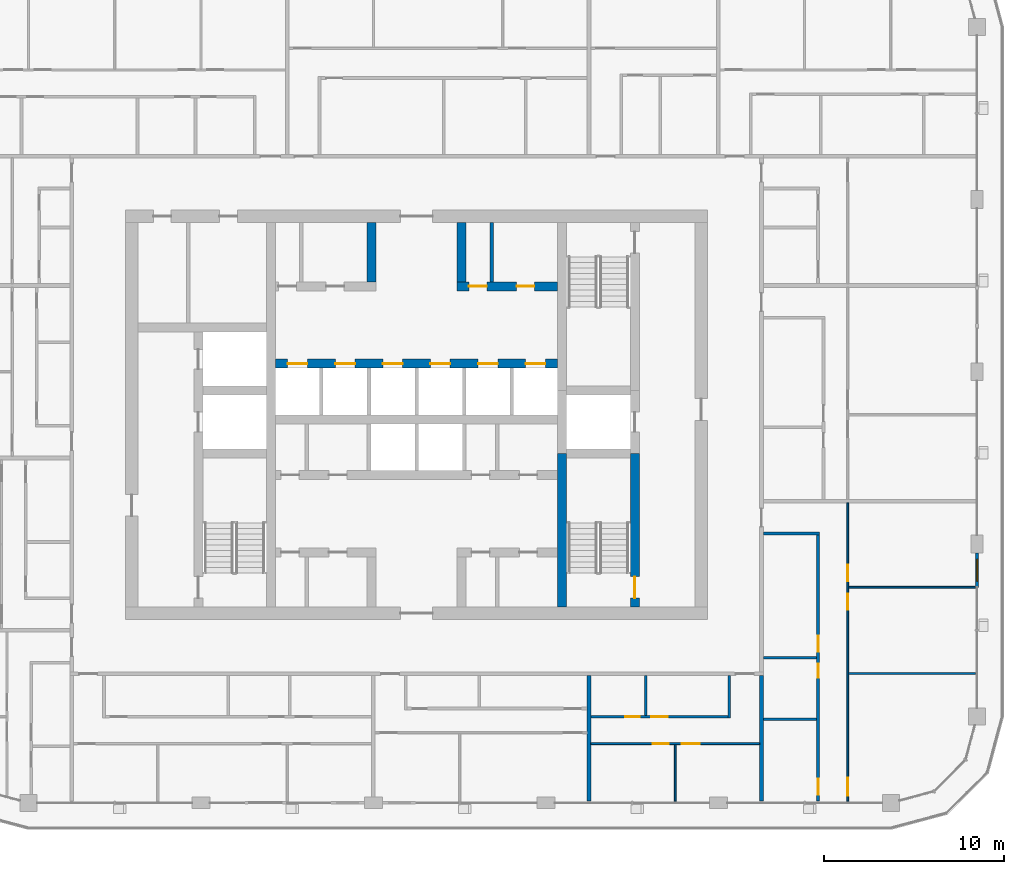
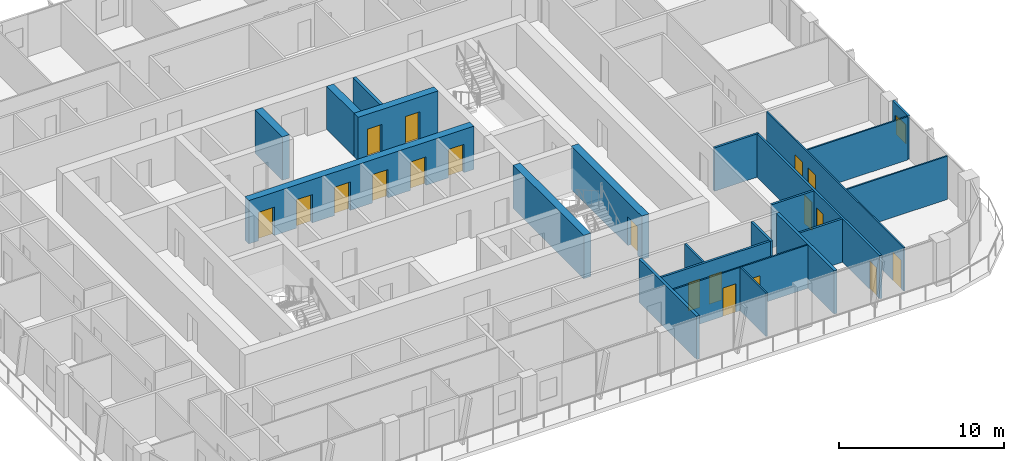
# One storey, part 12 of 23: 22 walls, 19 doors, 1 window, 20 openings.
"""IFC4 building model written with IfcOpenShell, lengths in metres."""

from ifc_helpers import new_model, si_unit, direction, frame, frame_2d, origin, place, context, subcontext, project, spatial, rectangle, extrude, material, layer, layer_set, type_object, element, fill, save


model = new_model("IFC4")

# Units and contexts
model_context = context("Model", 3, precision=1e-05, world=origin(), true_north=direction((0.0, 1.0)))
body_context = subcontext(model_context, "Body", "Model", "MODEL_VIEW")
ifc_project = project(units=[si_unit("LENGTHUNIT", "METRE"), si_unit("AREAUNIT", "SQUARE_METRE"), si_unit("VOLUMEUNIT", "CUBIC_METRE"), si_unit("PLANEANGLEUNIT", "RADIAN"), si_unit("MASSUNIT", "GRAM", prefix="KILO")], contexts=[model_context])

# Site, building, storey
site_placement = place(None, origin())
site = spatial("IfcSite", under=ifc_project, at=site_placement, CompositionType="ELEMENT")
building_placement = place(site_placement, origin())
building = spatial("IfcBuilding", under=site, at=building_placement, Name="Madar Terraces", CompositionType="ELEMENT")
storey_placement = place(building_placement, frame((0.0, 0.0, 212.300048828125)))
storey = spatial("IfcBuildingStorey", under=building, at=storey_placement, Name="L55", CompositionType="ELEMENT", Elevation=212.300048828125)

# Wall
ifc_material_1 = material(Name="Concrete C60/75", Category="concrete")
ifc_layer_1 = layer(ifc_material_1, 0.5)
ifc_layer_set_1 = layer_set([ifc_layer_1], Name="Concrete C60/75 (CIW4 RC wall 500)")
wall_type_1 = type_object("IfcWallType", Name="CIW4 RC wall 500", PredefinedType="SHEAR", material=ifc_layer_set_1)
wall_1_placement = place(storey_placement, frame((39.300048828125, 15.699951171875, 0.0), z_axis=(0.0, 0.0, 1.0), x_axis=(0.0, 1.0, 0.0)))
element("IfcWall", 1, at=wall_1_placement, inside=storey, type_object=wall_type_1, Name="CORE SHAFT WALL", PredefinedType="SHEAR", context=body_context, shape_type="SweptSolid", body=[
    extrude(rectangle(XDim=8.550048828125, YDim=0.5, at=frame_2d((4.27490234375, 0.0))), origin(), (0.0, 0.0, 1.0), 3.199951171875),
])

# Wall, opening, door
wall_2_placement = place(storey_placement, frame((43.35009765625, 15.699951171875, 0.0), z_axis=(0.0, 0.0, 1.0), x_axis=(0.0, 1.0, 0.0)))
wall_2 = element("IfcWall", 2, at=wall_2_placement, inside=storey, type_object=wall_type_1, Name="CORE SHAFT WALL", PredefinedType="SHEAR", context=body_context, shape_type="SweptSolid", body=[
    extrude(rectangle(XDim=8.550048828125, YDim=0.5, at=frame_2d((4.27490234375, 0.0))), origin(), (0.0, 0.0, 1.0), 3.199951171875),
])
opening_1_placement = place(wall_2_placement, frame((0.5, 0.0, 0.0)))
opening_1 = element("IfcOpeningElement", 3, at=opening_1_placement, cuts=wall_2, Name="Opening SD1", PredefinedType="OPENING", context=body_context, shape_type="SweptSolid", body=[
    extrude(rectangle(XDim=1.199951171875, YDim=2.10009765625, at=frame_2d((0.60009765625, 1.050048828125))), frame((0.0, 0.260009765625, 0.0), z_axis=(0.0, -1.0, 0.0), x_axis=(1.0, 0.0, 0.0)), (0.0, 0.0, 1.0), 0.52001953125),
])
ifc_material_2 = material(Name="Steel door leaf", Category="steel")
door_type_1 = type_object("IfcDoorType", Name="Stair door 1200 x 2100", OperationType="NOTDEFINED", PredefinedType="DOOR", material=ifc_material_2)
door_1_placement = place(opening_1_placement, origin())
door_1 = element("IfcDoor", 4, at=door_1_placement, inside=storey, type_object=door_type_1, Name="STAIR DOOR", OperationType="SINGLE_SWING_RIGHT", OverallHeight=2.10009765625, OverallWidth=1.199951171875, PredefinedType="DOOR", context=body_context, shape_type="SweptSolid", body=[
    extrude(rectangle(XDim=1.199951171875, YDim=2.10009765625, at=frame_2d((0.60009765625, 1.050048828125))), frame((0.0, 0.02490234375, 0.0), z_axis=(0.0, -1.0, 0.0), x_axis=(1.0, 0.0, 0.0)), (0.0, 0.0, 1.0), 0.050048828125),
])
fill(opening_1, door_1)

# Wall, openings, doors
wall_3_placement = place(storey_placement, frame((23.35009765625, 29.25, 0.0), z_axis=(0.0, 0.0, 1.0), x_axis=(1.0, 0.0, 0.0)))
wall_3 = element("IfcWall", 5, at=wall_3_placement, inside=storey, type_object=wall_type_1, Name="CORE SHAFT WALL", PredefinedType="SHEAR", context=body_context, shape_type="SweptSolid", body=[
    extrude(rectangle(XDim=15.699951171875, YDim=0.5, at=frame_2d((7.85009765625, 0.0))), origin(), (0.0, 0.0, 1.0), 3.199951171875),
])
opening_2_placement = place(wall_3_placement, frame((0.675048828125, 0.0, 0.0)))
opening_2 = element("IfcOpeningElement", 6, at=opening_2_placement, cuts=wall_3, Name="Opening LD", PredefinedType="OPENING", context=body_context, shape_type="SweptSolid", body=[
    extrude(rectangle(XDim=1.10009765625, YDim=2.10009765625, at=frame_2d((0.550048828125, 1.050048828125))), frame((0.0, 0.260009765625, 0.0), z_axis=(0.0, -1.0, 0.0), x_axis=(1.0, 0.0, 0.0)), (0.0, 0.0, 1.0), 0.52001953125),
])
opening_3_placement = place(wall_3_placement, frame((3.324951171875, 0.0, 0.0)))
opening_3 = element("IfcOpeningElement", 7, at=opening_3_placement, cuts=wall_3, Name="Opening LD", PredefinedType="OPENING", context=body_context, shape_type="SweptSolid", body=[
    extrude(rectangle(XDim=1.10009765625, YDim=2.10009765625, at=frame_2d((0.550048828125, 1.050048828125))), frame((0.0, 0.260009765625, 0.0), z_axis=(0.0, -1.0, 0.0), x_axis=(1.0, 0.0, 0.0)), (0.0, 0.0, 1.0), 0.52001953125),
])
opening_4_placement = place(wall_3_placement, frame((5.97509765625, 0.0, 0.0)))
opening_4 = element("IfcOpeningElement", 8, at=opening_4_placement, cuts=wall_3, Name="Opening LD", PredefinedType="OPENING", context=body_context, shape_type="SweptSolid", body=[
    extrude(rectangle(XDim=1.10009765625, YDim=2.10009765625, at=frame_2d((0.550048828125, 1.050048828125))), frame((0.0, 0.260009765625, 0.0), z_axis=(0.0, -1.0, 0.0), x_axis=(1.0, 0.0, 0.0)), (0.0, 0.0, 1.0), 0.52001953125),
])
opening_5_placement = place(wall_3_placement, frame((8.625, 0.0, 0.0)))
opening_5 = element("IfcOpeningElement", 9, at=opening_5_placement, cuts=wall_3, Name="Opening LD", PredefinedType="OPENING", context=body_context, shape_type="SweptSolid", body=[
    extrude(rectangle(XDim=1.10009765625, YDim=2.10009765625, at=frame_2d((0.550048828125, 1.050048828125))), frame((0.0, 0.260009765625, 0.0), z_axis=(0.0, -1.0, 0.0), x_axis=(1.0, 0.0, 0.0)), (0.0, 0.0, 1.0), 0.52001953125),
])
opening_6_placement = place(wall_3_placement, frame((11.27490234375, 0.0, 0.0)))
opening_6 = element("IfcOpeningElement", 10, at=opening_6_placement, cuts=wall_3, Name="Opening LD", PredefinedType="OPENING", context=body_context, shape_type="SweptSolid", body=[
    extrude(rectangle(XDim=1.10009765625, YDim=2.10009765625, at=frame_2d((0.550048828125, 1.050048828125))), frame((0.0, 0.260009765625, 0.0), z_axis=(0.0, -1.0, 0.0), x_axis=(1.0, 0.0, 0.0)), (0.0, 0.0, 1.0), 0.52001953125),
])
opening_7_placement = place(wall_3_placement, frame((13.925048828125, 0.0, 0.0)))
opening_7 = element("IfcOpeningElement", 11, at=opening_7_placement, cuts=wall_3, Name="Opening LD", PredefinedType="OPENING", context=body_context, shape_type="SweptSolid", body=[
    extrude(rectangle(XDim=1.10009765625, YDim=2.10009765625, at=frame_2d((0.550048828125, 1.050048828125))), frame((0.0, 0.260009765625, 0.0), z_axis=(0.0, -1.0, 0.0), x_axis=(1.0, 0.0, 0.0)), (0.0, 0.0, 1.0), 0.52001953125),
])
ifc_material_3 = material(Name="Stainless steel panel", Category="steel")
door_type_2 = type_object("IfcDoorType", Name="Lift landing door 1100 x 2100", OperationType="DOUBLE_DOOR_SLIDING", PredefinedType="DOOR", material=ifc_material_3)
door_2_placement = place(opening_2_placement, origin())
door_2 = element("IfcDoor", 12, at=door_2_placement, inside=storey, type_object=door_type_2, Name="LIFT LANDING DOOR", OperationType="DOUBLE_DOOR_SLIDING", OverallHeight=2.10009765625, OverallWidth=1.10009765625, PredefinedType="DOOR", context=body_context, shape_type="SweptSolid", body=[
    extrude(rectangle(XDim=1.10009765625, YDim=2.10009765625, at=frame_2d((0.550048828125, 1.050048828125))), frame((0.0, 0.02490234375, 0.0), z_axis=(0.0, -1.0, 0.0), x_axis=(1.0, 0.0, 0.0)), (0.0, 0.0, 1.0), 0.050048828125),
])
fill(opening_2, door_2)
door_3_placement = place(opening_3_placement, origin())
door_3 = element("IfcDoor", 13, at=door_3_placement, inside=storey, type_object=door_type_2, Name="LIFT LANDING DOOR", OperationType="DOUBLE_DOOR_SLIDING", OverallHeight=2.10009765625, OverallWidth=1.10009765625, PredefinedType="DOOR", context=body_context, shape_type="SweptSolid", body=[
    extrude(rectangle(XDim=1.10009765625, YDim=2.10009765625, at=frame_2d((0.550048828125, 1.050048828125))), frame((0.0, 0.02490234375, 0.0), z_axis=(0.0, -1.0, 0.0), x_axis=(1.0, 0.0, 0.0)), (0.0, 0.0, 1.0), 0.050048828125),
])
fill(opening_3, door_3)
door_4_placement = place(opening_4_placement, origin())
door_4 = element("IfcDoor", 14, at=door_4_placement, inside=storey, type_object=door_type_2, Name="LIFT LANDING DOOR", OperationType="DOUBLE_DOOR_SLIDING", OverallHeight=2.10009765625, OverallWidth=1.10009765625, PredefinedType="DOOR", context=body_context, shape_type="SweptSolid", body=[
    extrude(rectangle(XDim=1.10009765625, YDim=2.10009765625, at=frame_2d((0.550048828125, 1.050048828125))), frame((0.0, 0.02490234375, 0.0), z_axis=(0.0, -1.0, 0.0), x_axis=(1.0, 0.0, 0.0)), (0.0, 0.0, 1.0), 0.050048828125),
])
fill(opening_4, door_4)
door_5_placement = place(opening_5_placement, origin())
door_5 = element("IfcDoor", 15, at=door_5_placement, inside=storey, type_object=door_type_2, Name="LIFT LANDING DOOR", OperationType="DOUBLE_DOOR_SLIDING", OverallHeight=2.10009765625, OverallWidth=1.10009765625, PredefinedType="DOOR", context=body_context, shape_type="SweptSolid", body=[
    extrude(rectangle(XDim=1.10009765625, YDim=2.10009765625, at=frame_2d((0.550048828125, 1.050048828125))), frame((0.0, 0.02490234375, 0.0), z_axis=(0.0, -1.0, 0.0), x_axis=(1.0, 0.0, 0.0)), (0.0, 0.0, 1.0), 0.050048828125),
])
fill(opening_5, door_5)
door_6_placement = place(opening_6_placement, origin())
door_6 = element("IfcDoor", 16, at=door_6_placement, inside=storey, type_object=door_type_2, Name="LIFT LANDING DOOR", OperationType="DOUBLE_DOOR_SLIDING", OverallHeight=2.10009765625, OverallWidth=1.10009765625, PredefinedType="DOOR", context=body_context, shape_type="SweptSolid", body=[
    extrude(rectangle(XDim=1.10009765625, YDim=2.10009765625, at=frame_2d((0.550048828125, 1.050048828125))), frame((0.0, 0.02490234375, 0.0), z_axis=(0.0, -1.0, 0.0), x_axis=(1.0, 0.0, 0.0)), (0.0, 0.0, 1.0), 0.050048828125),
])
fill(opening_6, door_6)
door_7_placement = place(opening_7_placement, origin())
door_7 = element("IfcDoor", 17, at=door_7_placement, inside=storey, type_object=door_type_2, Name="LIFT LANDING DOOR", OperationType="DOUBLE_DOOR_SLIDING", OverallHeight=2.10009765625, OverallWidth=1.10009765625, PredefinedType="DOOR", context=body_context, shape_type="SweptSolid", body=[
    extrude(rectangle(XDim=1.10009765625, YDim=2.10009765625, at=frame_2d((0.550048828125, 1.050048828125))), frame((0.0, 0.02490234375, 0.0), z_axis=(0.0, -1.0, 0.0), x_axis=(1.0, 0.0, 0.0)), (0.0, 0.0, 1.0), 0.050048828125),
])
fill(opening_7, door_7)

wall_4_placement = place(storey_placement, frame((33.449951171875, 33.550048828125, 0.0), z_axis=(0.0, 0.0, 1.0), x_axis=(1.0, 0.0, 0.0)))
wall_4 = element("IfcWall", 18, at=wall_4_placement, inside=storey, type_object=wall_type_1, Name="CORE SHAFT WALL", PredefinedType="SHEAR", context=body_context, shape_type="SweptSolid", body=[
    extrude(rectangle(XDim=5.60009765625, YDim=0.5, at=frame_2d((2.800048828125, 0.0))), origin(), (0.0, 0.0, 1.0), 3.199951171875),
])
opening_8_placement = place(wall_4_placement, frame((0.6640625, 0.0, 0.0)))
opening_8 = element("IfcOpeningElement", 19, at=opening_8_placement, cuts=wall_4, Name="Opening KD2", PredefinedType="OPENING", context=body_context, shape_type="SweptSolid", body=[
    extrude(rectangle(XDim=1.0, YDim=2.10009765625, at=frame_2d((0.5, 1.050048828125))), frame((0.0, 0.260009765625, 0.0), z_axis=(0.0, -1.0, 0.0), x_axis=(1.0, 0.0, 0.0)), (0.0, 0.0, 1.0), 0.52001953125),
])
opening_9_placement = place(wall_4_placement, frame((3.31396484375, 0.0, 0.0)))
opening_9 = element("IfcOpeningElement", 20, at=opening_9_placement, cuts=wall_4, Name="Opening KD2", PredefinedType="OPENING", context=body_context, shape_type="SweptSolid", body=[
    extrude(rectangle(XDim=1.0, YDim=2.10009765625, at=frame_2d((0.5, 1.050048828125))), frame((0.0, 0.260009765625, 0.0), z_axis=(0.0, -1.0, 0.0), x_axis=(1.0, 0.0, 0.0)), (0.0, 0.0, 1.0), 0.52001953125),
])
ifc_material_4 = material(Name="Steel door leaf", Category="steel")
door_type_3 = type_object("IfcDoorType", Name="Service room door 1000 x 2100", OperationType="NOTDEFINED", PredefinedType="DOOR", material=ifc_material_4)
door_8_placement = place(opening_8_placement, frame((1.0, 0.0, 0.0), z_axis=(0.0, 0.0, 1.0), x_axis=(-1.0, 0.0, 0.0)))
door_8 = element("IfcDoor", 21, at=door_8_placement, inside=storey, type_object=door_type_3, Name="SERVICE ROOM DOOR", OperationType="SINGLE_SWING_RIGHT", OverallHeight=2.10009765625, OverallWidth=1.0, PredefinedType="DOOR", context=body_context, shape_type="SweptSolid", body=[
    extrude(rectangle(XDim=1.0, YDim=2.10009765625, at=frame_2d((0.5, 1.050048828125))), frame((0.0, 0.02490234375, 0.0), z_axis=(0.0, -1.0, 0.0), x_axis=(1.0, 0.0, 0.0)), (0.0, 0.0, 1.0), 0.050048828125),
])
fill(opening_8, door_8)
door_9_placement = place(opening_9_placement, frame((1.0, 0.0, 0.0), z_axis=(0.0, 0.0, 1.0), x_axis=(-1.0, 0.0, 0.0)))
door_9 = element("IfcDoor", 22, at=door_9_placement, inside=storey, type_object=door_type_3, Name="SERVICE ROOM DOOR", OperationType="SINGLE_SWING_LEFT", OverallHeight=2.10009765625, OverallWidth=1.0, PredefinedType="DOOR", context=body_context, shape_type="SweptSolid", body=[
    extrude(rectangle(XDim=1.0, YDim=2.10009765625, at=frame_2d((0.5, 1.050048828125))), frame((0.0, 0.02490234375, 0.0), z_axis=(0.0, -1.0, 0.0), x_axis=(1.0, 0.0, 0.0)), (0.0, 0.0, 1.0), 0.050048828125),
])
fill(opening_9, door_9)

# Walls
for number, where, z_axis, x_axis, name in (
    (23, (28.699951171875, 33.800048828125, 0.0), (0.0, 0.0, 1.0), (0.0, 1.0, 0.0), "CORE SHAFT WALL"),
    (24, (33.699951171875, 33.800048828125, 0.0), (0.0, 0.0, 1.0), (0.0, 1.0, 0.0), "CORE SHAFT WALL"),
):
    element("IfcWall", number, at=place(storey_placement, frame(where, z_axis=z_axis, x_axis=x_axis)), inside=storey, type_object=wall_type_1, Name=name, PredefinedType="SHEAR", context=body_context, shape_type="SweptSolid", body=[
        extrude(rectangle(XDim=3.300048828125, YDim=0.5, at=frame_2d((1.64990234375, 0.0))), origin(), (0.0, 0.0, 1.0), 3.199951171875),
    ])
ifc_material_5 = material(Name="Masonry blockwork", Category="masonry")
ifc_layer_2 = layer(ifc_material_5, 0.199951171875)
ifc_layer_set_2 = layer_set([ifc_layer_2], Name="Core partition 200 blockwork")
wall_type_2 = type_object("IfcWallType", Name="Core partition 200 blockwork", PredefinedType="PARTITIONING", material=ifc_layer_set_2)
wall_5_placement = place(storey_placement, frame((35.3779296875, 33.800048828125, 0.0), z_axis=(0.0, 0.0, 1.0), x_axis=(0.0, 1.0, 0.0)))
element("IfcWall", 25, at=wall_5_placement, inside=storey, type_object=wall_type_2, Name="SERVICE ROOM PARTITION", PredefinedType="PARTITIONING", context=body_context, shape_type="SweptSolid", body=[
    extrude(rectangle(XDim=3.300048828125, YDim=0.199951171875, at=frame_2d((1.64990234375, 0.0))), origin(), (0.0, 0.0, 1.0), 3.199951171875),
])

# Wall, opening, window
ifc_material_6 = material(Name="Aluminium composite panel, black, over insulated backing", Category="aluminium")
ifc_layer_3 = layer(ifc_material_6, 0.14990234375)
ifc_layer_set_3 = layer_set([ifc_layer_3], Name="Facade bay panel 150")
wall_type_3 = type_object("IfcWallType", Name="Facade bay panel 150", PredefinedType="SOLIDWALL", material=ifc_layer_set_3)
wall_6_placement = place(storey_placement, frame((62.39990234375, 16.800048828125, 0.0), z_axis=(0.0, 0.0, 1.0), x_axis=(0.0, 1.0, 0.0)))
wall_6 = element("IfcWall", 26, at=wall_6_placement, inside=storey, type_object=wall_type_3, Name="Facade bay panel", PredefinedType="SOLIDWALL", context=body_context, shape_type="SweptSolid", body=[
    extrude(rectangle(XDim=1.89990234375, YDim=0.14990234375, at=frame_2d((0.949951171875, 0.0))), origin(), (0.0, 0.0, 1.0), 3.199951171875),
])
opening_10_placement = place(wall_6_placement, frame((0.35009765625, 0.0, 0.89990234375)))
opening_10 = element("IfcOpeningElement", 27, at=opening_10_placement, cuts=wall_6, Name="Opening W1", PredefinedType="OPENING", context=body_context, shape_type="SweptSolid", body=[
    extrude(rectangle(XDim=1.199951171875, YDim=1.39990234375, at=frame_2d((0.60009765625, 0.699951171875))), frame((0.0, 0.0849609375, 0.0), z_axis=(0.0, -1.0, 0.0), x_axis=(1.0, 0.0, 0.0)), (0.0, 0.0, 1.0), 0.169921875),
])
ifc_material_7 = material(Name="Glass, clear, with black aluminium frame", Category="aluminium")
window_type = type_object("IfcWindowType", Name="Vent window 1200 x 1400", PartitioningType="SINGLE_PANEL", PredefinedType="WINDOW", material=ifc_material_7)
window_placement = place(opening_10_placement, origin())
window = element("IfcWindow", 28, at=window_placement, inside=storey, type_object=window_type, Name="Operable vent window", OverallHeight=1.39990234375, OverallWidth=1.199951171875, PartitioningType="SINGLE_PANEL", PredefinedType="WINDOW", context=body_context, shape_type="SweptSolid", body=[
    extrude(rectangle(XDim=1.199951171875, YDim=1.39990234375, at=frame_2d((0.60009765625, 0.699951171875))), frame((0.0, 0.030029296875, 0.0), z_axis=(0.0, -1.0, 0.0), x_axis=(1.0, 0.0, 0.0)), (0.0, 0.0, 1.0), 0.06005859375),
])
fill(opening_10, window)

# Wall
ifc_material_8 = material(Name="Gypsum board on steel studs", Category="steel")
ifc_layer_4 = layer(ifc_material_8, 0.10009765625)
ifc_layer_set_4 = layer_set([ifc_layer_4], Name="Flat partition 100")
wall_type_4 = type_object("IfcWallType", Name="Flat partition 100", PredefinedType="PARTITIONING", material=ifc_layer_set_4)
wall_7_placement = place(storey_placement, frame((45.60009765625, 8.050048828125, 0.0), z_axis=(0.0, 0.0, 1.0), x_axis=(0.0, -1.0, 0.0)))
element("IfcWall", 29, at=wall_7_placement, inside=storey, type_object=wall_type_4, Name="Flat partition 100", PredefinedType="PARTITIONING", context=body_context, shape_type="SweptSolid", body=[
    extrude(rectangle(XDim=3.150146484375, YDim=0.10009765625, at=frame_2d((1.5751953125, 0.0))), origin(), (0.0, 0.0, 1.0), 3.199951171875),
])

# Wall, openings, doors
wall_8_placement = place(storey_placement, frame((50.300048828125, 8.10009765625, 0.0), z_axis=(0.0, 0.0, 1.0), x_axis=(-1.0, 0.0, 0.0)))
wall_8 = element("IfcWall", 30, at=wall_8_placement, inside=storey, type_object=wall_type_4, Name="Flat partition 100", PredefinedType="PARTITIONING", context=body_context, shape_type="SweptSolid", body=[
    extrude(rectangle(XDim=9.400146484375, YDim=0.10009765625, at=frame_2d((4.7001953125, 0.0))), origin(), (0.0, 0.0, 1.0), 3.199951171875),
])
opening_11_placement = place(wall_8_placement, frame((3.35009765625, 0.0, 0.0)))
opening_11 = element("IfcOpeningElement", 31, at=opening_11_placement, cuts=wall_8, Name="Opening D3", PredefinedType="OPENING", context=body_context, shape_type="SweptSolid", body=[
    extrude(rectangle(XDim=1.0, YDim=2.10009765625, at=frame_2d((0.5, 1.050048828125))), frame((0.0, 0.06005859375, 0.0), z_axis=(0.0, -1.0, 0.0), x_axis=(1.0, 0.0, 0.0)), (0.0, 0.0, 1.0), 0.1201171875),
])
opening_12_placement = place(wall_8_placement, frame((5.050048828125, 0.0, 0.0)))
opening_12 = element("IfcOpeningElement", 32, at=opening_12_placement, cuts=wall_8, Name="Opening D2", PredefinedType="OPENING", context=body_context, shape_type="SweptSolid", body=[
    extrude(rectangle(XDim=0.89990234375, YDim=2.10009765625, at=frame_2d((0.449951171875, 1.050048828125))), frame((0.0, 0.06005859375, 0.0), z_axis=(0.0, -1.0, 0.0), x_axis=(1.0, 0.0, 0.0)), (0.0, 0.0, 1.0), 0.1201171875),
])
ifc_material_9 = material(Name="Timber door leaf", Category="wood")
door_type_4 = type_object("IfcDoorType", Name="Flat living room door 1000", OperationType="NOTDEFINED", PredefinedType="DOOR", material=ifc_material_9)
door_10_placement = place(opening_11_placement, origin())
door_10 = element("IfcDoor", 33, at=door_10_placement, inside=storey, type_object=door_type_4, Name="Flat living room door 1000", OperationType="SINGLE_SWING_RIGHT", OverallHeight=2.10009765625, OverallWidth=1.0, PredefinedType="DOOR", context=body_context, shape_type="SweptSolid", body=[
    extrude(rectangle(XDim=1.0, YDim=2.10009765625, at=frame_2d((0.5, 1.050048828125))), frame((0.0, 0.02490234375, 0.0), z_axis=(0.0, -1.0, 0.0), x_axis=(1.0, 0.0, 0.0)), (0.0, 0.0, 1.0), 0.050048828125),
])
fill(opening_11, door_10)
ifc_material_10 = material(Name="Timber door leaf", Category="wood")
door_type_5 = type_object("IfcDoorType", Name="Flat room door 900", OperationType="NOTDEFINED", PredefinedType="DOOR", material=ifc_material_10)
door_11_placement = place(opening_12_placement, origin())
door_11 = element("IfcDoor", 34, at=door_11_placement, inside=storey, type_object=door_type_5, Name="Flat room door 900", OperationType="SINGLE_SWING_LEFT", OverallHeight=2.10009765625, OverallWidth=0.89990234375, PredefinedType="DOOR", context=body_context, shape_type="SweptSolid", body=[
    extrude(rectangle(XDim=0.89990234375, YDim=2.10009765625, at=frame_2d((0.449951171875, 1.050048828125))), frame((0.0, 0.02490234375, 0.0), z_axis=(0.0, -1.0, 0.0), x_axis=(1.0, 0.0, 0.0)), (0.0, 0.0, 1.0), 0.050048828125),
])
fill(opening_12, door_11)

# Walls
for number, where, z_axis, x_axis, name in (
    (35, (55.25, 16.800048828125, 0.0), (0.0, 0.0, 1.0), (1.0, 0.0, 0.0), "Flat partition 100"),
    (36, (55.25, 12.0, 0.0), (0.0, 0.0, 1.0), (1.0, 0.0, 0.0), "Flat partition 100"),
):
    element("IfcWall", number, at=place(storey_placement, frame(where, z_axis=z_axis, x_axis=x_axis)), inside=storey, type_object=wall_type_4, Name=name, PredefinedType="PARTITIONING", context=body_context, shape_type="SweptSolid", body=[
        extrude(rectangle(XDim=7.050048828125, YDim=0.10009765625, at=frame_2d((3.52490234375, 0.0))), origin(), (0.0, 0.0, 1.0), 3.199951171875),
    ])

# Wall, openings, doors
wall_9_placement = place(storey_placement, frame((55.199951171875, 21.5, 0.0), z_axis=(0.0, 0.0, 1.0), x_axis=(0.0, -1.0, 0.0)))
wall_9 = element("IfcWall", 37, at=wall_9_placement, inside=storey, type_object=wall_type_4, Name="Flat partition 100", PredefinedType="PARTITIONING", context=body_context, shape_type="SweptSolid", body=[
    extrude(rectangle(XDim=16.60009765625, YDim=0.10009765625, at=frame_2d((8.300048828125, 0.0))), origin(), (0.0, 0.0, 1.0), 3.199951171875),
])
opening_13_placement = place(wall_9_placement, frame((3.449951171875, 0.0, 0.0)))
opening_13 = element("IfcOpeningElement", 38, at=opening_13_placement, cuts=wall_9, Name="Opening D2", PredefinedType="OPENING", context=body_context, shape_type="SweptSolid", body=[
    extrude(rectangle(XDim=0.89990234375, YDim=2.10009765625, at=frame_2d((0.449951171875, 1.050048828125))), frame((0.0, 0.06005859375, 0.0), z_axis=(0.0, -1.0, 0.0), x_axis=(1.0, 0.0, 0.0)), (0.0, 0.0, 1.0), 0.1201171875),
])
opening_14_placement = place(wall_9_placement, frame((5.050048828125, 0.0, 0.0)))
opening_14 = element("IfcOpeningElement", 39, at=opening_14_placement, cuts=wall_9, Name="Opening D2", PredefinedType="OPENING", context=body_context, shape_type="SweptSolid", body=[
    extrude(rectangle(XDim=0.89990234375, YDim=2.10009765625, at=frame_2d((0.449951171875, 1.050048828125))), frame((0.0, 0.06005859375, 0.0), z_axis=(0.0, -1.0, 0.0), x_axis=(1.0, 0.0, 0.0)), (0.0, 0.0, 1.0), 0.1201171875),
])
opening_15_placement = place(wall_9_placement, frame((15.300048828125, 0.0, 0.0)))
opening_15 = element("IfcOpeningElement", 40, at=opening_15_placement, cuts=wall_9, Name="Opening D3", PredefinedType="OPENING", context=body_context, shape_type="SweptSolid", body=[
    extrude(rectangle(XDim=1.0, YDim=2.10009765625, at=frame_2d((0.5, 1.050048828125))), frame((0.0, 0.06005859375, 0.0), z_axis=(0.0, -1.0, 0.0), x_axis=(1.0, 0.0, 0.0)), (0.0, 0.0, 1.0), 0.1201171875),
])
door_12_placement = place(opening_15_placement, origin())
door_12 = element("IfcDoor", 41, at=door_12_placement, inside=storey, type_object=door_type_4, Name="Flat living room door 1000", OperationType="SINGLE_SWING_RIGHT", OverallHeight=2.10009765625, OverallWidth=1.0, PredefinedType="DOOR", context=body_context, shape_type="SweptSolid", body=[
    extrude(rectangle(XDim=1.0, YDim=2.10009765625, at=frame_2d((0.5, 1.050048828125))), frame((0.0, 0.02490234375, 0.0), z_axis=(0.0, -1.0, 0.0), x_axis=(1.0, 0.0, 0.0)), (0.0, 0.0, 1.0), 0.050048828125),
])
fill(opening_15, door_12)
door_13_placement = place(opening_13_placement, origin())
door_13 = element("IfcDoor", 42, at=door_13_placement, inside=storey, type_object=door_type_5, Name="Flat room door 900", OperationType="SINGLE_SWING_RIGHT", OverallHeight=2.10009765625, OverallWidth=0.89990234375, PredefinedType="DOOR", context=body_context, shape_type="SweptSolid", body=[
    extrude(rectangle(XDim=0.89990234375, YDim=2.10009765625, at=frame_2d((0.449951171875, 1.050048828125))), frame((0.0, 0.02490234375, 0.0), z_axis=(0.0, -1.0, 0.0), x_axis=(1.0, 0.0, 0.0)), (0.0, 0.0, 1.0), 0.050048828125),
])
fill(opening_13, door_13)
door_14_placement = place(opening_14_placement, origin())
door_14 = element("IfcDoor", 43, at=door_14_placement, inside=storey, type_object=door_type_5, Name="Flat room door 900", OperationType="SINGLE_SWING_LEFT", OverallHeight=2.10009765625, OverallWidth=0.89990234375, PredefinedType="DOOR", context=body_context, shape_type="SweptSolid", body=[
    extrude(rectangle(XDim=0.89990234375, YDim=2.10009765625, at=frame_2d((0.449951171875, 1.050048828125))), frame((0.0, 0.02490234375, 0.0), z_axis=(0.0, -1.0, 0.0), x_axis=(1.0, 0.0, 0.0)), (0.0, 0.0, 1.0), 0.050048828125),
])
fill(opening_14, door_14)

# Walls
ifc_material_11 = material(Name="Lightweight blockwork", Category="masonry")
ifc_layer_5 = layer(ifc_material_11, 0.199951171875)
ifc_layer_set_5 = layer_set([ifc_layer_5], Name="Flat party and entrance wall 200")
wall_type_5 = type_object("IfcWallType", Name="Flat party and entrance wall 200", PredefinedType="PARTITIONING", material=ifc_layer_set_5)
for number, where, z_axis, x_axis, name in (
    (44, (40.800048828125, 11.89990234375, 0.0), (0.0, 0.0, 1.0), (0.0, -1.0, 0.0), "Flat party and entrance wall 200"),
    (45, (50.39990234375, 11.89990234375, 0.0), (0.0, 0.0, 1.0), (0.0, -1.0, 0.0), "Flat party and entrance wall 200"),
):
    element("IfcWall", number, at=place(storey_placement, frame(where, z_axis=z_axis, x_axis=x_axis)), inside=storey, type_object=wall_type_5, Name=name, PredefinedType="PARTITIONING", context=body_context, shape_type="SweptSolid", body=[
        extrude(rectangle(XDim=7.0, YDim=0.199951171875, at=frame_2d((3.5, 0.0))), origin(), (0.0, 0.0, 1.0), 3.199951171875),
    ])
ifc_material_12 = material(Name="Lightweight blockwork", Category="masonry")
ifc_layer_6 = layer(ifc_material_12, 0.14990234375)
ifc_layer_set_6 = layer_set([ifc_layer_6], Name="Flat wet-room partition 150")
wall_type_6 = type_object("IfcWallType", Name="Flat wet-room partition 150", PredefinedType="PARTITIONING", material=ifc_layer_set_6)
wall_10_placement = place(storey_placement, frame((43.949951171875, 11.89990234375, 0.0), z_axis=(0.0, 0.0, 1.0), x_axis=(0.0, -1.0, 0.0)))
element("IfcWall", 46, at=wall_10_placement, inside=storey, type_object=wall_type_6, Name="Flat wet-room partition 150", PredefinedType="PARTITIONING", context=body_context, shape_type="SweptSolid", body=[
    extrude(rectangle(XDim=2.224853515625, YDim=0.14990234375, at=frame_2d((1.1123046875, 0.0))), origin(), (0.0, 0.0, 1.0), 3.199951171875),
])
wall_11_placement = place(storey_placement, frame((48.60009765625, 11.89990234375, 0.0), z_axis=(0.0, 0.0, 1.0), x_axis=(0.0, -1.0, 0.0)))
element("IfcWall", 47, at=wall_11_placement, inside=storey, type_object=wall_type_6, Name="Flat wet-room partition 150", PredefinedType="PARTITIONING", context=body_context, shape_type="SweptSolid", body=[
    extrude(rectangle(XDim=2.375, YDim=0.14990234375, at=frame_2d((1.1875, 0.0))), origin(), (0.0, 0.0, 1.0), 3.199951171875),
])

# Wall, openings, doors
wall_12_placement = place(storey_placement, frame((40.89990234375, 9.60009765625, 0.0), z_axis=(0.0, 0.0, 1.0), x_axis=(1.0, 0.0, 0.0)))
wall_12 = element("IfcWall", 48, at=wall_12_placement, inside=storey, type_object=wall_type_6, Name="Flat wet-room partition 150", PredefinedType="PARTITIONING", context=body_context, shape_type="SweptSolid", body=[
    extrude(rectangle(XDim=7.625, YDim=0.14990234375, at=frame_2d((3.8125, 0.0))), origin(), (0.0, 0.0, 1.0), 3.199951171875),
])
opening_16_placement = place(wall_12_placement, frame((3.375, 0.0, 0.0)))
opening_16 = element("IfcOpeningElement", 49, at=opening_16_placement, cuts=wall_12, Name="Opening D2", PredefinedType="OPENING", context=body_context, shape_type="SweptSolid", body=[
    extrude(rectangle(XDim=0.89990234375, YDim=2.10009765625, at=frame_2d((0.449951171875, 1.050048828125))), frame((0.0, 0.0849609375, 0.0), z_axis=(0.0, -1.0, 0.0), x_axis=(1.0, 0.0, 0.0)), (0.0, 0.0, 1.0), 0.169921875),
])
opening_17_placement = place(wall_12_placement, frame((1.925048828125, 0.0, 0.0)))
opening_17 = element("IfcOpeningElement", 50, at=opening_17_placement, cuts=wall_12, Name="Opening D4", PredefinedType="OPENING", context=body_context, shape_type="SweptSolid", body=[
    extrude(rectangle(XDim=0.800048828125, YDim=2.10009765625, at=frame_2d((0.39990234375, 1.050048828125))), frame((0.0, 0.0849609375, 0.0), z_axis=(0.0, -1.0, 0.0), x_axis=(1.0, 0.0, 0.0)), (0.0, 0.0, 1.0), 0.169921875),
])
ifc_material_13 = material(Name="Timber door leaf", Category="wood")
door_type_6 = type_object("IfcDoorType", Name="Flat bathroom door 800", OperationType="NOTDEFINED", PredefinedType="DOOR", material=ifc_material_13)
door_15_placement = place(opening_17_placement, origin())
door_15 = element("IfcDoor", 51, at=door_15_placement, inside=storey, type_object=door_type_6, Name="Flat bathroom door 800", OperationType="SINGLE_SWING_RIGHT", OverallHeight=2.10009765625, OverallWidth=0.800048828125, PredefinedType="DOOR", context=body_context, shape_type="SweptSolid", body=[
    extrude(rectangle(XDim=0.800048828125, YDim=2.10009765625, at=frame_2d((0.39990234375, 1.050048828125))), frame((0.0, 0.02490234375, 0.0), z_axis=(0.0, -1.0, 0.0), x_axis=(1.0, 0.0, 0.0)), (0.0, 0.0, 1.0), 0.050048828125),
])
fill(opening_17, door_15)
door_16_placement = place(opening_16_placement, origin())
door_16 = element("IfcDoor", 52, at=door_16_placement, inside=storey, type_object=door_type_5, Name="Flat room door 900", OperationType="SINGLE_SWING_LEFT", OverallHeight=2.10009765625, OverallWidth=0.89990234375, PredefinedType="DOOR", context=body_context, shape_type="SweptSolid", body=[
    extrude(rectangle(XDim=0.89990234375, YDim=2.10009765625, at=frame_2d((0.449951171875, 1.050048828125))), frame((0.0, 0.02490234375, 0.0), z_axis=(0.0, -1.0, 0.0), x_axis=(1.0, 0.0, 0.0)), (0.0, 0.0, 1.0), 0.050048828125),
])
fill(opening_16, door_16)

# Walls
for number, where, z_axis, x_axis, name in (
    (53, (50.5, 12.8828125, 0.0), (0.0, 0.0, 1.0), (1.0, 0.0, 0.0), "Flat wet-room partition 150"),
    (54, (50.5, 9.46142578125, 0.0), (0.0, 0.0, 1.0), (1.0, 0.0, 0.0), "Flat wet-room partition 150"),
):
    element("IfcWall", number, at=place(storey_placement, frame(where, z_axis=z_axis, x_axis=x_axis)), inside=storey, type_object=wall_type_6, Name=name, PredefinedType="PARTITIONING", context=body_context, shape_type="SweptSolid", body=[
        extrude(rectangle(XDim=2.97509765625, YDim=0.14990234375, at=frame_2d((1.487548828125, 0.0))), origin(), (0.0, 0.0, 1.0), 3.199951171875),
    ])
wall_13_placement = place(storey_placement, frame((50.5, 19.800048828125, 0.0), z_axis=(0.0, 0.0, 1.0), x_axis=(1.0, 0.0, 0.0)))
element("IfcWall", 55, at=wall_13_placement, inside=storey, type_object=wall_type_6, Name="Flat wet-room partition 150", PredefinedType="PARTITIONING", context=body_context, shape_type="SweptSolid", body=[
    extrude(rectangle(XDim=3.125, YDim=0.14990234375, at=frame_2d((1.5625, 0.0))), origin(), (0.0, 0.0, 1.0), 3.199951171875),
])

# Wall, openings, doors
wall_14_placement = place(storey_placement, frame((53.550048828125, 4.89990234375, 0.0), z_axis=(0.0, 0.0, 1.0), x_axis=(0.0, 1.0, 0.0)))
wall_14 = element("IfcWall", 56, at=wall_14_placement, inside=storey, type_object=wall_type_6, Name="Flat wet-room partition 150", PredefinedType="PARTITIONING", context=body_context, shape_type="SweptSolid", body=[
    extrude(rectangle(XDim=14.8251953125, YDim=0.14990234375, at=frame_2d((7.41259765625, 0.0))), origin(), (0.0, 0.0, 1.0), 3.199951171875),
])
opening_18_placement = place(wall_14_placement, frame((8.3076171875, 0.0, 0.0)))
opening_18 = element("IfcOpeningElement", 57, at=opening_18_placement, cuts=wall_14, Name="Opening D2", PredefinedType="OPENING", context=body_context, shape_type="SweptSolid", body=[
    extrude(rectangle(XDim=0.89990234375, YDim=2.10009765625, at=frame_2d((0.449951171875, 1.050048828125))), frame((0.0, 0.0849609375, 0.0), z_axis=(0.0, -1.0, 0.0), x_axis=(1.0, 0.0, 0.0)), (0.0, 0.0, 1.0), 0.169921875),
])
opening_19_placement = place(wall_14_placement, frame((6.857666015625, 0.0, 0.0)))
opening_19 = element("IfcOpeningElement", 58, at=opening_19_placement, cuts=wall_14, Name="Opening D4", PredefinedType="OPENING", context=body_context, shape_type="SweptSolid", body=[
    extrude(rectangle(XDim=0.800048828125, YDim=2.10009765625, at=frame_2d((0.39990234375, 1.050048828125))), frame((0.0, 0.0849609375, 0.0), z_axis=(0.0, -1.0, 0.0), x_axis=(1.0, 0.0, 0.0)), (0.0, 0.0, 1.0), 0.169921875),
])
opening_20_placement = place(wall_14_placement, frame((0.35009765625, 0.0, 0.0)))
opening_20 = element("IfcOpeningElement", 59, at=opening_20_placement, cuts=wall_14, Name="Opening D5", PredefinedType="OPENING", context=body_context, shape_type="SweptSolid", body=[
    extrude(rectangle(XDim=0.89990234375, YDim=2.10009765625, at=frame_2d((0.449951171875, 1.050048828125))), frame((0.0, 0.0849609375, 0.0), z_axis=(0.0, -1.0, 0.0), x_axis=(1.0, 0.0, 0.0)), (0.0, 0.0, 1.0), 0.169921875),
])
ifc_material_14 = material(Name="Timber door leaf", Category="wood")
door_type_7 = type_object("IfcDoorType", Name="Flat accessible bathroom door 900", OperationType="NOTDEFINED", PredefinedType="DOOR", material=ifc_material_14)
door_17_placement = place(opening_20_placement, origin())
door_17 = element("IfcDoor", 60, at=door_17_placement, inside=storey, type_object=door_type_7, Name="Flat accessible bathroom door 900", OperationType="SINGLE_SWING_LEFT", OverallHeight=2.10009765625, OverallWidth=0.89990234375, PredefinedType="DOOR", context=body_context, shape_type="SweptSolid", body=[
    extrude(rectangle(XDim=0.89990234375, YDim=2.10009765625, at=frame_2d((0.449951171875, 1.050048828125))), frame((0.0, 0.02490234375, 0.0), z_axis=(0.0, -1.0, 0.0), x_axis=(1.0, 0.0, 0.0)), (0.0, 0.0, 1.0), 0.050048828125),
])
fill(opening_20, door_17)
door_18_placement = place(opening_19_placement, origin())
door_18 = element("IfcDoor", 61, at=door_18_placement, inside=storey, type_object=door_type_6, Name="Flat bathroom door 800", OperationType="SINGLE_SWING_RIGHT", OverallHeight=2.10009765625, OverallWidth=0.800048828125, PredefinedType="DOOR", context=body_context, shape_type="SweptSolid", body=[
    extrude(rectangle(XDim=0.800048828125, YDim=2.10009765625, at=frame_2d((0.39990234375, 1.050048828125))), frame((0.0, 0.02490234375, 0.0), z_axis=(0.0, -1.0, 0.0), x_axis=(1.0, 0.0, 0.0)), (0.0, 0.0, 1.0), 0.050048828125),
])
fill(opening_19, door_18)
door_19_placement = place(opening_18_placement, origin())
door_19 = element("IfcDoor", 62, at=door_19_placement, inside=storey, type_object=door_type_5, Name="Flat room door 900", OperationType="SINGLE_SWING_LEFT", OverallHeight=2.10009765625, OverallWidth=0.89990234375, PredefinedType="DOOR", context=body_context, shape_type="SweptSolid", body=[
    extrude(rectangle(XDim=0.89990234375, YDim=2.10009765625, at=frame_2d((0.449951171875, 1.050048828125))), frame((0.0, 0.02490234375, 0.0), z_axis=(0.0, -1.0, 0.0), x_axis=(1.0, 0.0, 0.0)), (0.0, 0.0, 1.0), 0.050048828125),
])
fill(opening_18, door_19)

save(model, "model.ifc")
